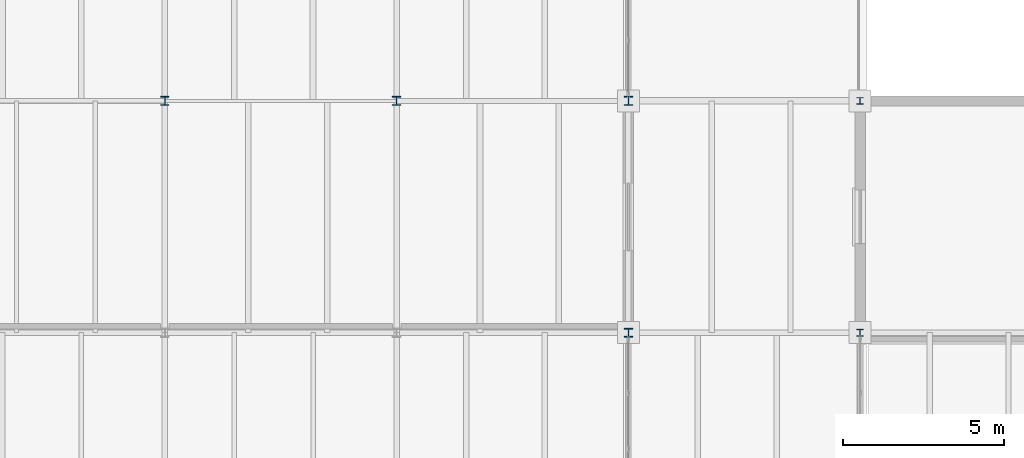
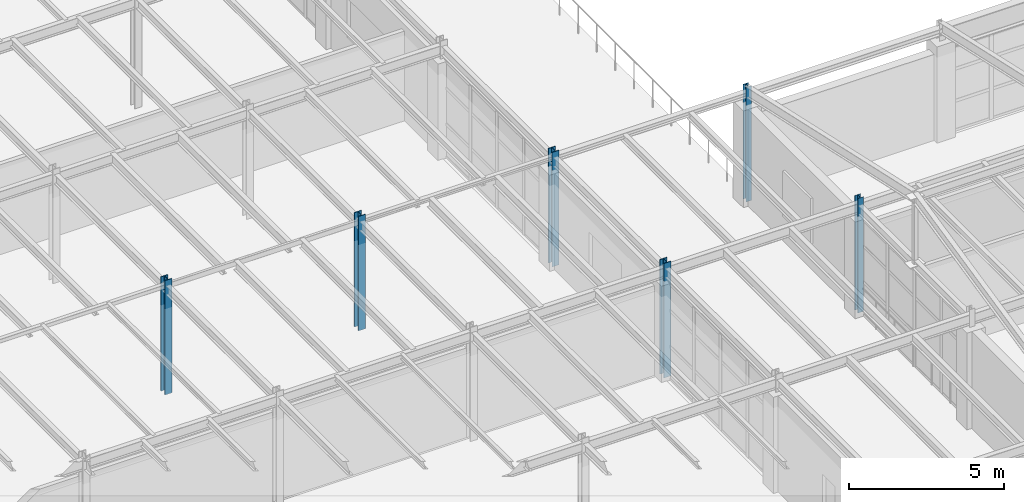
# One storey, part 3 of 101: 6 columns.
"""IFC4 building model written with IfcOpenShell, lengths in metres."""

import ifcopenshell
import ifcopenshell.guid

model = None  # the IFC model being written
_history = None  # IfcOwnerHistory: only IFC2X3 demands one
_inside = {}  # id of a spatial element -> (the spatial element, [elements in it])
_under = {}  # id of a project, library or spatial element -> (it, [spatial elements below it])
_declared = {}  # id of a project -> (the project, [libraries it declares])
_typed = {}  # id of a type object -> (the type object, [elements of that type])
_made_of = {}  # id of a material, layer set ... -> (it, [elements and type objects made of it])


def new_model(schema):
    """Start an empty IFC model of exactly this schema.

    Asked for "IFC4X3", IfcOpenShell would pick the latest addendum, in which some entities
    have other attributes; the version numbers below select the first issue.
    IFC2X3 requires an IfcOwnerHistory on every rooted entity: one is made here for all.
    """
    global model, _history
    if schema == "IFC4X3":
        model = ifcopenshell.file(schema_version=(4, 3, 0, 0))
    else:
        model = ifcopenshell.file(schema=schema)
    _inside.clear()
    _under.clear()
    _declared.clear()
    _typed.clear()
    _made_of.clear()
    _history = None
    if model.schema == "IFC2X3":
        org = make("IfcOrganization", Name="unknown")
        user = make(
            "IfcPersonAndOrganization",
            ThePerson=make("IfcPerson", FamilyName="unknown"),
            TheOrganization=org,
        )
        app = make(
            "IfcApplication",
            ApplicationDeveloper=org,
            Version="unknown",
            ApplicationFullName="unknown",
            ApplicationIdentifier="unknown",
        )
        _history = make(
            "IfcOwnerHistory",
            OwningUser=user,
            OwningApplication=app,
            ChangeAction="ADDED",
            CreationDate=0,
        )
    return model


def make(cls, **values):
    """One entity of the class cls with the attributes given. An attribute that is None is left unset."""
    return model.create_entity(
        cls, **{name: value for name, value in values.items() if value is not None}
    )


def rooted(cls, **values):
    """An entity with a GlobalId (a new one), such as an element, a storey or a relation."""
    return make(cls, GlobalId=ifcopenshell.guid.new(), OwnerHistory=_history, **values)


def si_unit(unit_type, name, prefix=None):
    """IfcSIUnit, for example si_unit("LENGTHUNIT", "METRE", prefix="MILLI")."""
    return make("IfcSIUnit", UnitType=unit_type, Prefix=prefix, Name=name)


def assignment(units):
    """IfcUnitAssignment: the units of a project."""
    return None if units is None else make("IfcUnitAssignment", Units=units)


def point(xyz):
    """IfcCartesianPoint."""
    return None if xyz is None else make("IfcCartesianPoint", Coordinates=xyz)


def direction(xyz):
    """IfcDirection."""
    return None if xyz is None else make("IfcDirection", DirectionRatios=xyz)


def frame(location, z_axis=None, x_axis=None):
    """IfcAxis2Placement3D, a coordinate frame: its origin and axes. An axis left out is left unset."""
    return make(
        "IfcAxis2Placement3D",
        Location=point(location),
        Axis=direction(z_axis),
        RefDirection=direction(x_axis),
    )


def frame_2d(location, x_axis=None):
    """IfcAxis2Placement2D, a coordinate frame in the plane: its origin and x axis."""
    return make(
        "IfcAxis2Placement2D", Location=point(location), RefDirection=direction(x_axis)
    )


def origin():
    """The frame at (0, 0, 0) with its axes left unset."""
    return frame((0.0, 0.0, 0.0))


def origin_2d():
    """The frame at (0, 0) in the plane with its x axis left unset."""
    return frame_2d((0.0, 0.0))


def place(relative_to, where):
    """IfcLocalPlacement: puts the frame where relative to a parent placement (None: the world)."""
    return make(
        "IfcLocalPlacement", PlacementRelTo=relative_to, RelativePlacement=where
    )


def context(
    kind, dimensions, precision=None, world=None, true_north=None, identifier=None
):
    """IfcGeometricRepresentationContext, for example the 3D "Model" context."""
    return make(
        "IfcGeometricRepresentationContext",
        ContextIdentifier=identifier,
        ContextType=kind,
        CoordinateSpaceDimension=dimensions,
        Precision=precision,
        WorldCoordinateSystem=world,
        TrueNorth=true_north,
    )


def subcontext(parent, identifier, kind, view, scale=None):
    """IfcGeometricRepresentationSubContext, for example "Body" below "Model"."""
    return make(
        "IfcGeometricRepresentationSubContext",
        ContextIdentifier=identifier,
        ContextType=kind,
        ParentContext=parent,
        TargetScale=scale,
        TargetView=view,
    )


def project(units=None, contexts=None):
    """IfcProject with its units and contexts."""
    return rooted(
        "IfcProject",
        Name="project",
        RepresentationContexts=contexts,
        UnitsInContext=assignment(units),
    )


def spatial(cls, under=None, at=None, **own):
    """A site, building, storey or space (cls), placed at a placement, below another one or the project."""
    s = rooted(cls, ObjectPlacement=at, **own)
    if under is not None:
        _under.setdefault(under.id(), (under, []))[1].append(s)
    return s


def profile(cls, at=None, kind="AREA", **sizes):
    """A parametric profile (cls). Its sizes go by their IFC names, for example OverallWidth=200.0."""
    return make(cls, ProfileType=kind, Position=at, **sizes)


def i_section(**sizes):
    """IfcIShapeProfileDef."""
    return profile("IfcIShapeProfileDef", **sizes)


def extrude(swept, where, along, depth):
    """IfcExtrudedAreaSolid: the profile swept, set in the frame where, extruded along a direction by depth."""
    return make(
        "IfcExtrudedAreaSolid",
        SweptArea=swept,
        Position=where,
        ExtrudedDirection=direction(along),
        Depth=depth,
    )


def shape(context_of_items, identifier, shape_type, items):
    """IfcShapeRepresentation: the items that make up one representation, for example the "Body"."""
    return make(
        "IfcShapeRepresentation",
        ContextOfItems=context_of_items,
        RepresentationIdentifier=identifier,
        RepresentationType=shape_type,
        Items=items,
    )


def material(Name=None, Category=None):
    """IfcMaterial."""
    return make("IfcMaterial", Name=Name, Category=Category)


def material_profile(
    of_material, cross_section, Name=None, Category=None, Priority=None
):
    """IfcMaterialProfile: a cross section and its material."""
    return make(
        "IfcMaterialProfile",
        Name=Name,
        Material=of_material,
        Profile=cross_section,
        Priority=Priority,
        Category=Category,
    )


def profile_set(profiles, Name=None, composite=None):
    """IfcMaterialProfileSet."""
    return make(
        "IfcMaterialProfileSet",
        Name=Name,
        MaterialProfiles=profiles,
        CompositeProfile=composite,
    )


def made_of(thing, what):
    """Note that an element or type object is made of a material, layer set ...; save() writes the relation."""
    if what is not None:
        _made_of.setdefault(what.id(), (what, []))[1].append(thing)
    return thing


def type_object(cls, material=None, **own):
    """A type object (cls), such as IfcWallType, which elements share."""
    return made_of(rooted(cls, **own), material)


def element(
    cls,
    number,
    at=None,
    inside=None,
    cuts=None,
    type_object=None,
    material=None,
    context=None,
    identifier="Body",
    shape_type=None,
    held_by="IfcProductDefinitionShape",
    body=None,
    shapes=None,
    **own,
):
    """One element of the class cls, such as IfcWall. Its Tag is "e" and its number.

    at: its placement. inside: the storey or other place that contains it. cuts: it is an
    opening in that element (IfcRelVoidsElement). A single representation is given by context,
    identifier, shape_type and body (its items); several are given by shapes. held_by: the class
    of the entity that holds the representations. save() writes the other relations.
    """
    e = rooted(cls, Tag="e%d" % number, ObjectPlacement=at, **own)
    if body is not None:
        shapes = [shape(context, identifier, shape_type, body)]
    if shapes is not None:
        e.Representation = make(held_by, Representations=shapes)
    if inside is not None:
        _inside.setdefault(inside.id(), (inside, []))[1].append(e)
    if cuts is not None:
        rooted(
            "IfcRelVoidsElement", RelatingBuildingElement=cuts, RelatedOpeningElement=e
        )
    if type_object is not None:
        _typed.setdefault(type_object.id(), (type_object, []))[1].append(e)
    return made_of(e, material)


def aggregate(whole, parts):
    """IfcRelAggregates: a whole, such as a stair, and the parts it consists of."""
    return rooted("IfcRelAggregates", RelatingObject=whole, RelatedObjects=parts)


def save(model, path):
    """Write the relations noted so far, then the file.

    IfcRelAggregates (storeys below a building ...), IfcRelContainedInSpatialStructure (elements
    in a storey), IfcRelDefinesByType, IfcRelAssociatesMaterial and IfcRelDeclares: one each for
    every whole, place, type object, material and project.
    """
    for whole, parts in _under.values():
        aggregate(whole, parts)
    for where, things in _inside.values():
        rooted(
            "IfcRelContainedInSpatialStructure",
            RelatedElements=things,
            RelatingStructure=where,
        )
    for kind, things in _typed.values():
        rooted("IfcRelDefinesByType", RelatedObjects=things, RelatingType=kind)
    for what, things in _made_of.values():
        rooted("IfcRelAssociatesMaterial", RelatedObjects=things, RelatingMaterial=what)
    for by, libraries in _declared.values():
        rooted("IfcRelDeclares", RelatingContext=by, RelatedDefinitions=libraries)
    model.write(path)


model = new_model("IFC4")

# Units and contexts
model_context = context("Model", 3, precision=1e-05, world=origin(), true_north=direction((0.0, 1.0)))
body_context = subcontext(model_context, "Body", "Model", "MODEL_VIEW")
ifc_project = project(units=[si_unit("LENGTHUNIT", "METRE"), si_unit("AREAUNIT", "SQUARE_METRE"), si_unit("VOLUMEUNIT", "CUBIC_METRE"), si_unit("PLANEANGLEUNIT", "RADIAN"), si_unit("MASSUNIT", "GRAM", prefix="KILO")], contexts=[model_context])

# Site, building, storey
site_placement = place(None, origin())
site = spatial("IfcSite", under=ifc_project, at=site_placement, CompositionType="ELEMENT")
building_placement = place(site_placement, origin())
building = spatial("IfcBuilding", under=site, at=building_placement, Name="Kemerveld Promenade Tramway Depot", CompositionType="ELEMENT")
storey_placement = place(building_placement, frame((0.0, 0.0, 9.89990234375)))
storey = spatial("IfcBuildingStorey", under=building, at=storey_placement, Name="L02", CompositionType="ELEMENT", Elevation=9.89990234375)

# Columns
ifc_material = material(Name="Steel S355", Category="steel")
ifc_material_profile_1 = material_profile(ifc_material, i_section(OverallWidth=0.26123046875, OverallDepth=0.2763671875, WebThickness=0.015380859375, FlangeThickness=0.025390625, FilletRadius=0.0126953125, at=origin_2d()), Name="254x254x132 UC")
ifc_profile_set_1 = profile_set([ifc_material_profile_1], Name="Steel S355")
column_type_1 = type_object("IfcColumnType", Name="COL-S07", PredefinedType="COLUMN", material=ifc_profile_set_1)
for number, where, z_axis, x_axis, name in (
    (1, (36.0, 28.800048828125, 0.0), (0.0, 0.0, 1.0), (1.0, 0.0, 0.0), "COL-L02-06-E"),
    (2, (43.199951171875, 28.800048828125, 0.0), (0.0, 0.0, 1.0), (1.0, 0.0, 0.0), "COL-L02-07-E"),
    (3, (50.39990234375, 21.60009765625, 0.0), (0.0, 0.0, 1.0), (1.0, 0.0, 0.0), "COL-L02-08-D"),
    (4, (50.39990234375, 28.800048828125, 0.0), (0.0, 0.0, 1.0), (1.0, 0.0, 0.0), "COL-L02-08-E"),
):
    element("IfcColumn", number, at=place(storey_placement, frame(where, z_axis=z_axis, x_axis=x_axis)), inside=storey, type_object=column_type_1, Name=name, PredefinedType="COLUMN", context=body_context, shape_type="SweptSolid", body=[
        extrude(i_section(OverallWidth=0.26123046875, OverallDepth=0.2763671875, WebThickness=0.015380859375, FlangeThickness=0.025390625, FilletRadius=0.0126953125, at=origin_2d()), origin(), (0.0, 0.0, 1.0), 4.5),
    ])
ifc_material_profile_2 = material_profile(ifc_material, i_section(OverallWidth=0.205810546875, OverallDepth=0.209716796875, WebThickness=0.009521484375, FlangeThickness=0.01416015625, FilletRadius=0.01025390625, at=origin_2d()), Name="203x203x60 UC")
ifc_profile_set_2 = profile_set([ifc_material_profile_2], Name="Steel S355")
column_type_2 = type_object("IfcColumnType", Name="COL-S10", PredefinedType="COLUMN", material=ifc_profile_set_2)
for number, where, z_axis, x_axis, name in (
    (5, (57.60009765625, 21.60009765625, 0.0), (0.0, 0.0, 1.0), (1.0, 0.0, 0.0), "COL-L02-09-D"),
    (6, (57.60009765625, 28.800048828125, 0.0), (0.0, 0.0, 1.0), (1.0, 0.0, 0.0), "COL-L02-09-E"),
):
    element("IfcColumn", number, at=place(storey_placement, frame(where, z_axis=z_axis, x_axis=x_axis)), inside=storey, type_object=column_type_2, Name=name, PredefinedType="COLUMN", context=body_context, shape_type="SweptSolid", body=[
        extrude(i_section(OverallWidth=0.205810546875, OverallDepth=0.209716796875, WebThickness=0.009521484375, FlangeThickness=0.01416015625, FilletRadius=0.01025390625, at=origin_2d()), origin(), (0.0, 0.0, 1.0), 4.5),
    ])

save(model, "model.ifc")
